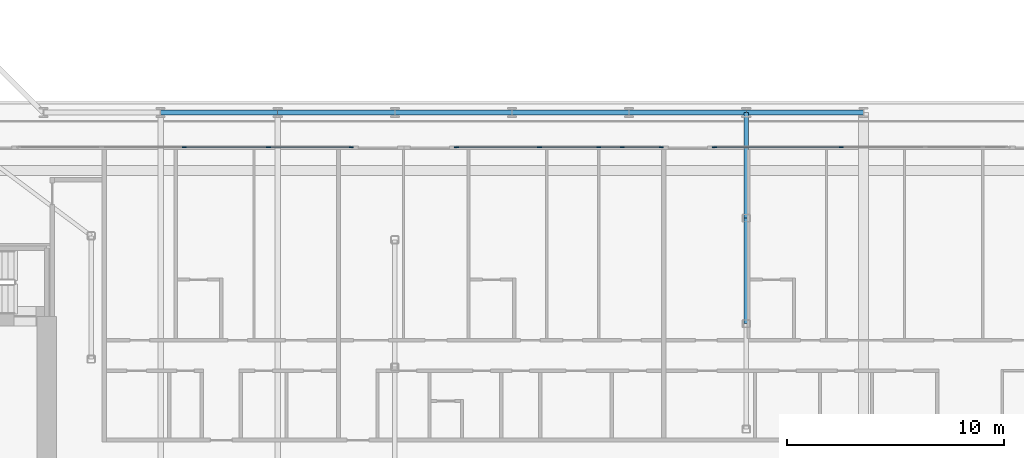
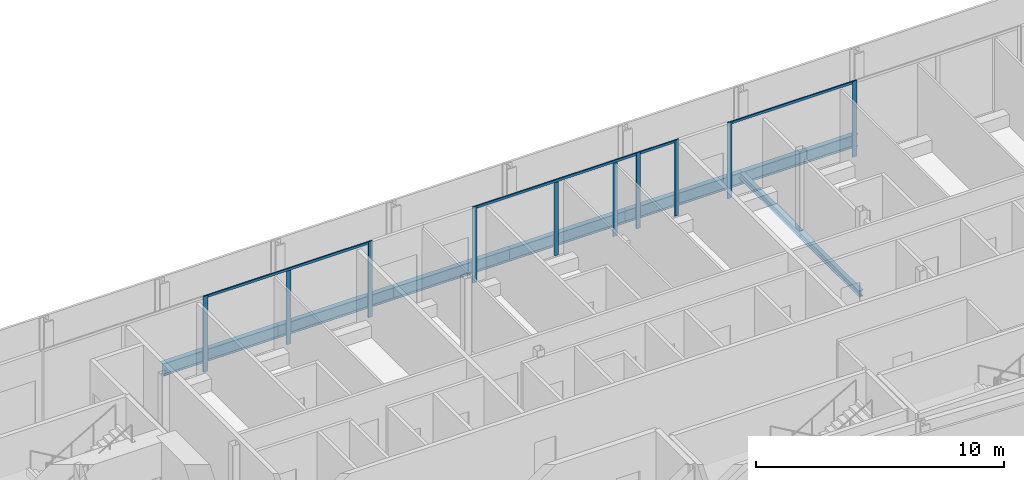
# One storey, part 6 of 29: 14 members, 8 beams, 5 elements without a shape of their own.
"""IFC4 building model written with IfcOpenShell, lengths in metres."""

from ifc_helpers import new_model, si_unit, direction, frame, origin, origin_2d, place, context, subcontext, project, spatial, rectangle, i_section, extrude, material, layer, layer_set, material_profile, profile_set, type_object, element, aggregate, save


model = new_model("IFC4")

# Units and contexts
model_context = context("Model", 3, precision=1e-05, world=origin(), true_north=direction((0.0, 1.0)))
body_context = subcontext(model_context, "Body", "Model", "MODEL_VIEW")
ifc_project = project(units=[si_unit("LENGTHUNIT", "METRE"), si_unit("AREAUNIT", "SQUARE_METRE"), si_unit("VOLUMEUNIT", "CUBIC_METRE"), si_unit("PLANEANGLEUNIT", "RADIAN"), si_unit("MASSUNIT", "GRAM", prefix="KILO")], contexts=[model_context])

# Site, building, storey
site_placement = place(None, origin())
site = spatial("IfcSite", under=ifc_project, at=site_placement, CompositionType="ELEMENT")
building_placement = place(site_placement, origin())
building = spatial("IfcBuilding", under=site, at=building_placement, Name="Kheshtan School and Residences Tower", CompositionType="ELEMENT")
storey_placement = place(building_placement, frame((0.0, 0.0, 117.5)))
storey = spatial("IfcBuildingStorey", under=building, at=storey_placement, Name="L27", CompositionType="ELEMENT", Elevation=117.5)

# Beams
ifc_material_1 = material(Name="Steel ASTM A992 Grade 50", Category="steel")
ifc_material_profile_1 = material_profile(ifc_material_1, i_section(OverallWidth=0.202880859375, OverallDepth=0.302978515625, WebThickness=0.007568359375, FlangeThickness=0.01318359375, FilletRadius=0.009033203125, at=origin_2d()), Name="W310x60")
ifc_profile_set_1 = profile_set([ifc_material_profile_1], Name="Steel ASTM A992 Grade 50")
beam_type_1 = type_object("IfcBeamType", Name="Beam FB1 W310x60 ASTM A992 Grade 50", PredefinedType="BEAM", material=ifc_profile_set_1)
for number, where, z_axis, x_axis, name in (
    (1, (85.39990234375, 45.60009765625, -0.301513671875), (0.0, -1.0, 0.0), (1.0, 0.0, 0.0), "Floor beam C067"),
    (2, (85.39990234375, 40.735107421875, -0.301513671875), (0.0, -1.0, 0.0), (1.0, 0.0, 0.0), "Floor beam IC"),
):
    element("IfcBeam", number, at=place(storey_placement, frame(where, z_axis=z_axis, x_axis=x_axis)), inside=storey, type_object=beam_type_1, Name=name, PredefinedType="BEAM", context=body_context, shape_type="SweptSolid", body=[
        extrude(i_section(OverallWidth=0.202880859375, OverallDepth=0.302978515625, WebThickness=0.007568359375, FlangeThickness=0.01318359375, FilletRadius=0.009033203125, at=origin_2d()), origin(), (0.0, 0.0, 1.0), 4.864990234375),
    ])
ifc_material_profile_2 = material_profile(ifc_material_1, i_section(OverallWidth=0.22802734375, OverallDepth=0.60302734375, WebThickness=0.010498046875, FlangeThickness=0.014892578125, FilletRadius=0.013427734375, at=origin_2d()), Name="W610x101")
ifc_profile_set_2 = profile_set([ifc_material_profile_2], Name="Steel ASTM A992 Grade 50")
beam_type_2 = type_object("IfcBeamType", Name="Beam SP2 W610x101 ASTM A992 Grade 50", PredefinedType="BEAM", material=ifc_profile_set_2)
beam_1_placement = place(storey_placement, frame((58.39990234375, 45.60009765625, -0.451416015625), z_axis=(1.0, 0.0, 0.0), x_axis=(0.0, 1.0, 0.0)))
element("IfcBeam", 3, at=beam_1_placement, inside=storey, type_object=beam_type_2, Name="Spandrel beam C062-C063", PredefinedType="BEAM", context=body_context, shape_type="SweptSolid", body=[
    extrude(i_section(OverallWidth=0.22802734375, OverallDepth=0.60302734375, WebThickness=0.010498046875, FlangeThickness=0.014892578125, FilletRadius=0.013427734375, at=origin_2d()), origin(), (0.0, 0.0, 1.0), 5.400146484375),
])
beam_2_placement = place(storey_placement, frame((63.800048828125, 45.60009765625, -0.451416015625), z_axis=(1.0, 0.0, 0.0), x_axis=(0.0, 1.0, 0.0)))
element("IfcBeam", 4, at=beam_2_placement, inside=storey, type_object=beam_type_2, Name="Spandrel beam C063-C064", PredefinedType="BEAM", context=body_context, shape_type="SweptSolid", body=[
    extrude(i_section(OverallWidth=0.22802734375, OverallDepth=0.60302734375, WebThickness=0.010498046875, FlangeThickness=0.014892578125, FilletRadius=0.013427734375, at=origin_2d()), origin(), (0.0, 0.0, 1.0), 5.39990234375),
])
beam_3_placement = place(storey_placement, frame((69.199951171875, 45.60009765625, -0.451416015625), z_axis=(1.0, 0.0, 0.0), x_axis=(0.0, 1.0, 0.0)))
element("IfcBeam", 5, at=beam_3_placement, inside=storey, type_object=beam_type_2, Name="Spandrel beam C064-C065", PredefinedType="BEAM", context=body_context, shape_type="SweptSolid", body=[
    extrude(i_section(OverallWidth=0.22802734375, OverallDepth=0.60302734375, WebThickness=0.010498046875, FlangeThickness=0.014892578125, FilletRadius=0.013427734375, at=origin_2d()), origin(), (0.0, 0.0, 1.0), 5.400146484375),
])
for number, where, z_axis, x_axis, name in (
    (6, (74.60009765625, 45.60009765625, -0.451416015625), (1.0, 0.0, 0.0), (0.0, 1.0, 0.0), "Spandrel beam C065-C066"),
    (7, (80.0, 45.60009765625, -0.451416015625), (1.0, 0.0, 0.0), (0.0, 1.0, 0.0), "Spandrel beam C066-C067"),
):
    element("IfcBeam", number, at=place(storey_placement, frame(where, z_axis=z_axis, x_axis=x_axis)), inside=storey, type_object=beam_type_2, Name=name, PredefinedType="BEAM", context=body_context, shape_type="SweptSolid", body=[
        extrude(i_section(OverallWidth=0.22802734375, OverallDepth=0.60302734375, WebThickness=0.010498046875, FlangeThickness=0.014892578125, FilletRadius=0.013427734375, at=origin_2d()), origin(), (0.0, 0.0, 1.0), 5.39990234375),
    ])
beam_4_placement = place(storey_placement, frame((85.39990234375, 45.60009765625, -0.451416015625), z_axis=(1.0, 0.0, 0.0), x_axis=(0.0, 1.0, 0.0)))
element("IfcBeam", 8, at=beam_4_placement, inside=storey, type_object=beam_type_2, Name="Spandrel beam C067-C068", PredefinedType="BEAM", context=body_context, shape_type="SweptSolid", body=[
    extrude(i_section(OverallWidth=0.22802734375, OverallDepth=0.60302734375, WebThickness=0.010498046875, FlangeThickness=0.014892578125, FilletRadius=0.013427734375, at=origin_2d()), origin(), (0.0, 0.0, 1.0), 5.400146484375),
])

# Curtain wall, member
ifc_material_2 = material(Name="Clear low-e glass in thermally broken aluminium frame", Category="aluminium")
ifc_layer = layer(ifc_material_2, 0.199951171875)
ifc_layer_set = layer_set([ifc_layer], Name="Curtain wall CW-L")
curtain_wall_type = type_object("IfcCurtainWallType", Name="Curtain wall CW-L", PredefinedType="NOTDEFINED", material=ifc_layer_set)
curtain_wall_1_placement = place(storey_placement, origin())
curtain_wall_1 = element("IfcCurtainWall", 9, at=curtain_wall_1_placement, inside=storey, type_object=curtain_wall_type, Name="Curtain wall CWL12j", PredefinedType="NOTDEFINED")
ifc_material_3 = material(Name="Thermally broken aluminium, dark bronze anodised", Category="aluminium")
ifc_material_profile_3 = material_profile(ifc_material_3, rectangle(XDim=0.06005859375, YDim=0.199951171875, at=origin_2d()), Name="CW-L mullion 60x200")
ifc_profile_set_3 = profile_set([ifc_material_profile_3], Name="Thermally broken aluminium, dark bronze anodised")
member_type_1 = type_object("IfcMemberType", Name="CW-L mullion 60x200", PredefinedType="MULLION", material=ifc_profile_set_3)
member_1_placement = place(storey_placement, frame((59.493896484375, 44.0, 0.0), z_axis=(0.0, 0.0, 1.0), x_axis=(0.0, 1.0, 0.0)))
member_1 = element("IfcMember", 10, at=member_1_placement, type_object=member_type_1, Name="CWL12j mullion 3", PredefinedType="MULLION", context=body_context, shape_type="SweptSolid", body=[
    extrude(rectangle(XDim=0.06005859375, YDim=0.199951171875, at=origin_2d()), origin(), (0.0, 0.0, 1.0), 3.75),
])
aggregate(curtain_wall_1, [member_1])

# Curtain wall, members
curtain_wall_2_placement = place(storey_placement, origin())
curtain_wall_2 = element("IfcCurtainWall", 11, at=curtain_wall_2_placement, inside=storey, type_object=curtain_wall_type, Name="Curtain wall CWL12j", PredefinedType="NOTDEFINED")
member_2_placement = place(storey_placement, frame((63.37109375, 44.0, 0.0), z_axis=(0.0, 0.0, 1.0), x_axis=(0.0, 1.0, 0.0)))
member_2 = element("IfcMember", 12, at=member_2_placement, type_object=member_type_1, Name="CWL12j mullion 2", PredefinedType="MULLION", context=body_context, shape_type="SweptSolid", body=[
    extrude(rectangle(XDim=0.06005859375, YDim=0.199951171875, at=origin_2d()), origin(), (0.0, 0.0, 1.0), 3.6298828125),
])
member_3_placement = place(storey_placement, frame((67.18798828125, 44.0, 0.0), z_axis=(0.0, 0.0, 1.0), x_axis=(0.0, 1.0, 0.0)))
member_3 = element("IfcMember", 13, at=member_3_placement, type_object=member_type_1, Name="CWL12j mullion 3", PredefinedType="MULLION", context=body_context, shape_type="SweptSolid", body=[
    extrude(rectangle(XDim=0.06005859375, YDim=0.199951171875, at=origin_2d()), origin(), (0.0, 0.0, 1.0), 3.75),
])

curtain_wall_3_placement = place(storey_placement, origin())
curtain_wall_3 = element("IfcCurtainWall", 14, at=curtain_wall_3_placement, inside=storey, type_object=curtain_wall_type, Name="Curtain wall CWL12k", PredefinedType="NOTDEFINED")
member_4_placement = place(storey_placement, frame((72.048095703125, 44.0, 0.0), z_axis=(0.0, 0.0, 1.0), x_axis=(0.0, 1.0, 0.0)))
member_4 = element("IfcMember", 15, at=member_4_placement, type_object=member_type_1, Name="CWL12k mullion 1", PredefinedType="MULLION", context=body_context, shape_type="SweptSolid", body=[
    extrude(rectangle(XDim=0.06005859375, YDim=0.199951171875, at=origin_2d()), origin(), (0.0, 0.0, 1.0), 3.75),
])
member_5_placement = place(storey_placement, frame((75.864990234375, 44.0, 0.0), z_axis=(0.0, 0.0, 1.0), x_axis=(0.0, 1.0, 0.0)))
member_5 = element("IfcMember", 16, at=member_5_placement, type_object=member_type_1, Name="CWL12k mullion 2", PredefinedType="MULLION", context=body_context, shape_type="SweptSolid", body=[
    extrude(rectangle(XDim=0.06005859375, YDim=0.199951171875, at=origin_2d()), origin(), (0.0, 0.0, 1.0), 3.6298828125),
])
member_6_placement = place(storey_placement, frame((78.60009765625, 44.0, 0.0), z_axis=(0.0, 0.0, 1.0), x_axis=(0.0, 1.0, 0.0)))
member_6 = element("IfcMember", 17, at=member_6_placement, type_object=member_type_1, Name="CWL12k mullion 3", PredefinedType="MULLION", context=body_context, shape_type="SweptSolid", body=[
    extrude(rectangle(XDim=0.06005859375, YDim=0.199951171875, at=origin_2d()), origin(), (0.0, 0.0, 1.0), 3.6298828125),
])
member_7_placement = place(storey_placement, frame((79.681884765625, 44.0, 0.0), z_axis=(0.0, 0.0, 1.0), x_axis=(0.0, 1.0, 0.0)))
member_7 = element("IfcMember", 18, at=member_7_placement, type_object=member_type_1, Name="CWL12k mullion 4", PredefinedType="MULLION", context=body_context, shape_type="SweptSolid", body=[
    extrude(rectangle(XDim=0.06005859375, YDim=0.199951171875, at=origin_2d()), origin(), (0.0, 0.0, 1.0), 3.75),
])

# Curtain wall, member
curtain_wall_4_placement = place(storey_placement, origin())
curtain_wall_4 = element("IfcCurtainWall", 19, at=curtain_wall_4_placement, inside=storey, type_object=curtain_wall_type, Name="Curtain wall CWL12q", PredefinedType="NOTDEFINED")
member_8_placement = place(storey_placement, frame((81.48193359375, 44.0, 0.0), z_axis=(0.0, 0.0, 1.0), x_axis=(0.0, 1.0, 0.0)))
member_8 = element("IfcMember", 20, at=member_8_placement, type_object=member_type_1, Name="CWL12q mullion 2", PredefinedType="MULLION", context=body_context, shape_type="SweptSolid", body=[
    extrude(rectangle(XDim=0.06005859375, YDim=0.199951171875, at=origin_2d()), origin(), (0.0, 0.0, 1.0), 3.75),
])

# Curtain wall, members
curtain_wall_5_placement = place(storey_placement, origin())
curtain_wall_5 = element("IfcCurtainWall", 21, at=curtain_wall_5_placement, inside=storey, type_object=curtain_wall_type, Name="Curtain wall CWL12r", PredefinedType="NOTDEFINED")
member_9_placement = place(storey_placement, frame((83.94189453125, 44.0, 0.0), z_axis=(0.0, 0.0, 1.0), x_axis=(0.0, 1.0, 0.0)))
member_9 = element("IfcMember", 22, at=member_9_placement, type_object=member_type_1, Name="CWL12r mullion 1", PredefinedType="MULLION", context=body_context, shape_type="SweptSolid", body=[
    extrude(rectangle(XDim=0.06005859375, YDim=0.199951171875, at=origin_2d()), origin(), (0.0, 0.0, 1.0), 3.75),
])
member_10_placement = place(storey_placement, frame((89.77587890625, 44.0, 0.0), z_axis=(0.0, 0.0, 1.0), x_axis=(0.0, 1.0, 0.0)))
member_10 = element("IfcMember", 23, at=member_10_placement, type_object=member_type_1, Name="CWL12r mullion 2", PredefinedType="MULLION", context=body_context, shape_type="SweptSolid", body=[
    extrude(rectangle(XDim=0.06005859375, YDim=0.199951171875, at=origin_2d()), origin(), (0.0, 0.0, 1.0), 3.75),
])

# Member
ifc_material_profile_4 = material_profile(ifc_material_3, rectangle(XDim=0.06005859375, YDim=0.1201171875, at=origin_2d()), Name="CW-L transom 60x120")
ifc_profile_set_4 = profile_set([ifc_material_profile_4], Name="Thermally broken aluminium, dark bronze anodised")
member_type_2 = type_object("IfcMemberType", Name="CW-L transom 60x120", PredefinedType="USERDEFINED", material=ifc_profile_set_4)
member_11_placement = place(storey_placement, frame((59.52392578125, 44.0, 3.68994140625), z_axis=(1.0, 0.0, 0.0), x_axis=(0.0, 1.0, 0.0)))
member_11 = element("IfcMember", 24, at=member_11_placement, type_object=member_type_2, Name="CWL12j transom 1", ObjectType="TRANSOM", PredefinedType="USERDEFINED", context=body_context, shape_type="SweptSolid", body=[
    extrude(rectangle(XDim=0.06005859375, YDim=0.1201171875, at=origin_2d()), origin(), (0.0, 0.0, 1.0), 7.634033203125),
])

aggregate(curtain_wall_2, [member_2, member_3, member_11])

member_12_placement = place(storey_placement, frame((72.077880859375, 44.0, 3.68994140625), z_axis=(1.0, 0.0, 0.0), x_axis=(0.0, 1.0, 0.0)))
member_12 = element("IfcMember", 25, at=member_12_placement, type_object=member_type_2, Name="CWL12k transom 1", ObjectType="TRANSOM", PredefinedType="USERDEFINED", context=body_context, shape_type="SweptSolid", body=[
    extrude(rectangle(XDim=0.06005859375, YDim=0.1201171875, at=origin_2d()), origin(), (0.0, 0.0, 1.0), 7.57421875),
])

aggregate(curtain_wall_3, [member_4, member_5, member_6, member_7, member_12])

member_13_placement = place(storey_placement, frame((79.7119140625, 44.0, 3.68994140625), z_axis=(1.0, 0.0, 0.0), x_axis=(0.0, 1.0, 0.0)))
member_13 = element("IfcMember", 26, at=member_13_placement, type_object=member_type_2, Name="CWL12q transom 1", ObjectType="TRANSOM", PredefinedType="USERDEFINED", context=body_context, shape_type="SweptSolid", body=[
    extrude(rectangle(XDim=0.06005859375, YDim=0.1201171875, at=origin_2d()), origin(), (0.0, 0.0, 1.0), 1.739990234375),
])

aggregate(curtain_wall_4, [member_8, member_13])

member_14_placement = place(storey_placement, frame((83.971923828125, 44.0, 3.68994140625), z_axis=(1.0, 0.0, 0.0), x_axis=(0.0, 1.0, 0.0)))
member_14 = element("IfcMember", 27, at=member_14_placement, type_object=member_type_2, Name="CWL12r transom 1", ObjectType="TRANSOM", PredefinedType="USERDEFINED", context=body_context, shape_type="SweptSolid", body=[
    extrude(rectangle(XDim=0.06005859375, YDim=0.1201171875, at=origin_2d()), origin(), (0.0, 0.0, 1.0), 5.774169921875),
])

aggregate(curtain_wall_5, [member_9, member_10, member_14])

save(model, "model.ifc")
